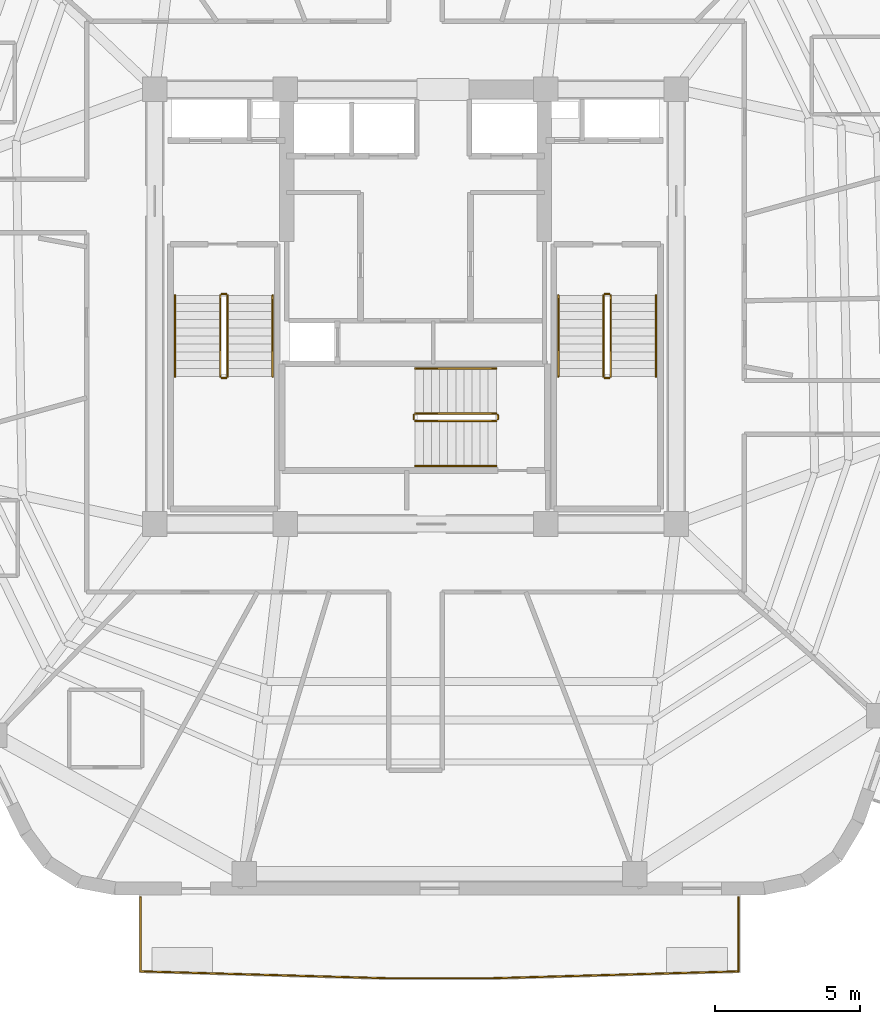
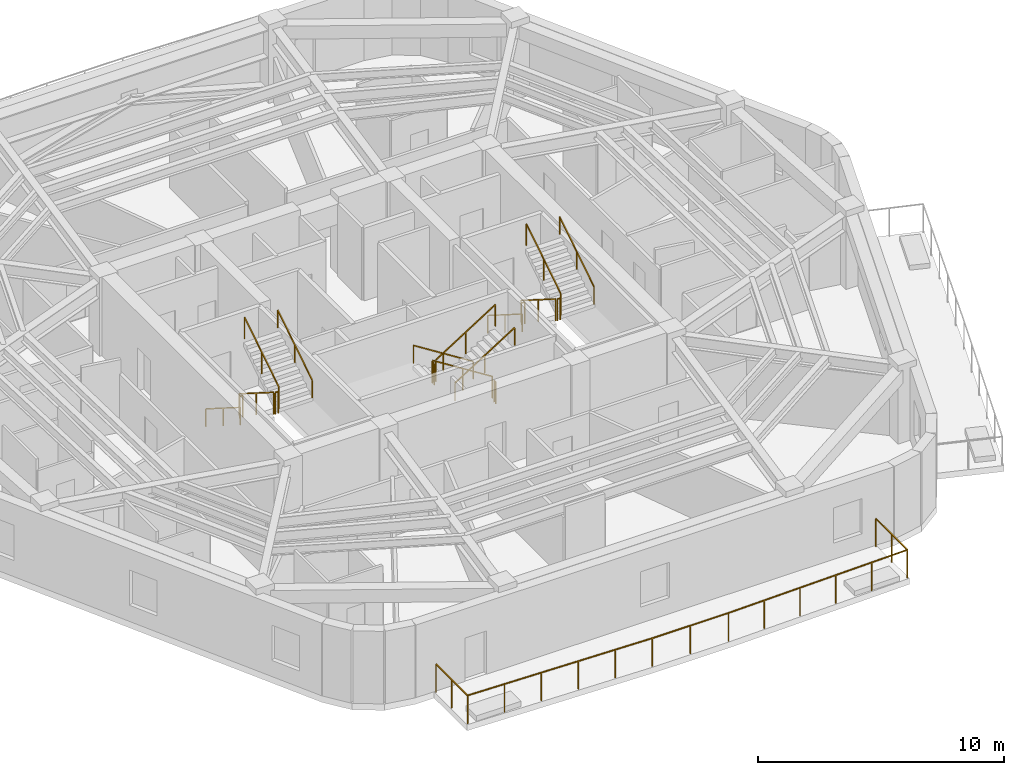
# One storey, part 8 of 9: 19 railings.
"""IFC4 building model written with IfcOpenShell, lengths in metres."""

from ifc_helpers import new_model, si_unit, direction, frame, origin, origin_2d, place, context, subcontext, project, spatial, rectangle, extrude, material, layer, layer_set, type_object, element, save


model = new_model("IFC4")

# Units and contexts
model_context = context("Model", 3, precision=1e-05, world=origin(), true_north=direction((0.0, 1.0)))
body_context = subcontext(model_context, "Body", "Model", "MODEL_VIEW")
ifc_project = project(units=[si_unit("LENGTHUNIT", "METRE"), si_unit("AREAUNIT", "SQUARE_METRE"), si_unit("VOLUMEUNIT", "CUBIC_METRE"), si_unit("PLANEANGLEUNIT", "RADIAN"), si_unit("MASSUNIT", "GRAM", prefix="KILO")], contexts=[model_context])

# Site, building, storey
site_placement = place(None, origin())
site = spatial("IfcSite", under=ifc_project, at=site_placement, CompositionType="ELEMENT")
building_placement = place(site_placement, origin())
building = spatial("IfcBuilding", under=site, at=building_placement, Name="Kilnhurst Terrace Hotel", CompositionType="ELEMENT")
storey_placement = place(building_placement, frame((0.0, 0.0, 297.60009765625)))
storey = spatial("IfcBuildingStorey", under=building, at=storey_placement, Name="L74", CompositionType="ELEMENT", Elevation=297.60009765625)

# Railings
ifc_material_1 = material(Name="Laminated SentryGlas and Stainless Steel AISI 316L Balustrade", Category="steel")
ifc_layer_1 = layer(ifc_material_1, 0.070068359375, Name="Laminated SentryGlas and Stainless Steel AISI 316L Balustrade")
ifc_layer_set_1 = layer_set([ifc_layer_1], Name="Laminated SentryGlas and Stainless Steel AISI 316L Balustrade")
railing_type_1 = type_object("IfcRailingType", Name="RLG-BAL-1420", PredefinedType="BALUSTRADE", material=ifc_layer_set_1)
railing_1_placement = place(storey_placement, frame((11.151611328125, -20.3798828125, 0.0)))
element("IfcRailing", 1, at=railing_1_placement, inside=storey, type_object=railing_type_1, Name="L74 Exterior Terrace Guardrail BAL-L1A.1", PredefinedType="BALUSTRADE", context=body_context, shape_type="SweptSolid", body=[
    extrude(rectangle(XDim=0.048095703125, YDim=0.048095703125, at=origin_2d()), frame((0.0, 0.0, 1.39599609375), z_axis=(0.0, -1.0, 0.0), x_axis=(1.0, 0.0, 0.0)), (0.0, 0.0, 1.0), 2.561767578125),
    extrude(rectangle(XDim=0.048095703125, YDim=0.048095703125, at=origin_2d()), frame((0.0, -2.561767578125, 1.39599609375), z_axis=(-0.999610218954, -0.027917918323, 0.0), x_axis=(0.027917918323, -0.999610218954, 0.0)), (0.0, 0.0, 1.0), 8.53515625),
    extrude(rectangle(XDim=0.048095703125, YDim=0.048095703125, at=origin_2d()), frame((-8.53173828125, -2.800048828125, 1.39599609375), z_axis=(-1.0, 0.0, 0.0), x_axis=(0.0, -1.0, 0.0)), (0.0, 0.0, 1.0), 3.577880859375),
    extrude(rectangle(XDim=0.048095703125, YDim=0.048095703125, at=origin_2d()), frame((-12.109619140625, -2.800048828125, 1.39599609375), z_axis=(-0.999610218954, 0.027917918323, 0.0), x_axis=(-0.027917918323, -0.999610218954, 0.0)), (0.0, 0.0, 1.0), 8.53515625),
    extrude(rectangle(XDim=0.048095703125, YDim=0.048095703125, at=origin_2d()), frame((-20.641357421875, -2.561767578125, 1.39599609375), z_axis=(0.0, 1.0, 0.0), x_axis=(-1.0, 0.0, 0.0)), (0.0, 0.0, 1.0), 2.561767578125),
    extrude(rectangle(XDim=0.0419921875, YDim=0.0419921875, at=origin_2d()), origin(), (0.0, 0.0, 1.0), 1.371826171875),
    extrude(rectangle(XDim=0.0419921875, YDim=0.0419921875, at=origin_2d()), frame((0.0, -1.28076171875, 0.0)), (0.0, 0.0, 1.0), 1.371826171875),
    extrude(rectangle(XDim=0.0419921875, YDim=0.0419921875, at=origin_2d()), frame((0.0, -2.561767578125, 0.0)), (0.0, 0.0, 1.0), 1.371826171875),
    extrude(rectangle(XDim=0.0419921875, YDim=0.0419921875, at=origin_2d()), frame((-1.706298828125, -2.609375, 0.0)), (0.0, 0.0, 1.0), 1.371826171875),
    extrude(rectangle(XDim=0.0419921875, YDim=0.0419921875, at=origin_2d()), frame((-3.41259765625, -2.656982421875, 0.0)), (0.0, 0.0, 1.0), 1.371826171875),
    extrude(rectangle(XDim=0.0419921875, YDim=0.0419921875, at=origin_2d()), frame((-5.119140625, -2.704833984375, 0.0)), (0.0, 0.0, 1.0), 1.371826171875),
    extrude(rectangle(XDim=0.0419921875, YDim=0.0419921875, at=origin_2d()), frame((-6.825439453125, -2.75244140625, 0.0)), (0.0, 0.0, 1.0), 1.371826171875),
    extrude(rectangle(XDim=0.0419921875, YDim=0.0419921875, at=origin_2d()), frame((-8.53173828125, -2.800048828125, 0.0)), (0.0, 0.0, 1.0), 1.371826171875),
    extrude(rectangle(XDim=0.0419921875, YDim=0.0419921875, at=origin_2d()), frame((-10.32080078125, -2.800048828125, 0.0)), (0.0, 0.0, 1.0), 1.371826171875),
    extrude(rectangle(XDim=0.0419921875, YDim=0.0419921875, at=origin_2d()), frame((-12.109619140625, -2.800048828125, 0.0)), (0.0, 0.0, 1.0), 1.371826171875),
    extrude(rectangle(XDim=0.0419921875, YDim=0.0419921875, at=origin_2d()), frame((-13.81591796875, -2.75244140625, 0.0)), (0.0, 0.0, 1.0), 1.371826171875),
    extrude(rectangle(XDim=0.0419921875, YDim=0.0419921875, at=origin_2d()), frame((-15.522216796875, -2.704833984375, 0.0)), (0.0, 0.0, 1.0), 1.371826171875),
    extrude(rectangle(XDim=0.0419921875, YDim=0.0419921875, at=origin_2d()), frame((-17.228759765625, -2.656982421875, 0.0)), (0.0, 0.0, 1.0), 1.371826171875),
    extrude(rectangle(XDim=0.0419921875, YDim=0.0419921875, at=origin_2d()), frame((-18.93505859375, -2.609375, 0.0)), (0.0, 0.0, 1.0), 1.371826171875),
    extrude(rectangle(XDim=0.0419921875, YDim=0.0419921875, at=origin_2d()), frame((-20.641357421875, -2.561767578125, 0.0)), (0.0, 0.0, 1.0), 1.371826171875),
    extrude(rectangle(XDim=0.0419921875, YDim=0.0419921875, at=origin_2d()), frame((-20.641357421875, -1.28076171875, 0.0)), (0.0, 0.0, 1.0), 1.371826171875),
    extrude(rectangle(XDim=0.0419921875, YDim=0.0419921875, at=origin_2d()), frame((-20.641357421875, 0.0, 0.0)), (0.0, 0.0, 1.0), 1.371826171875),
])
ifc_material_2 = material(Name="Powder-Coated Steel ASTM A500 Grade B", Category="steel")
ifc_layer_2 = layer(ifc_material_2, 0.050048828125, Name="Powder-Coated Steel ASTM A500 Grade B")
ifc_layer_set_2 = layer_set([ifc_layer_2], Name="Powder-Coated Steel ASTM A500 Grade B")
railing_type_2 = type_object("IfcRailingType", Name="RLG-ST-GRD-1100", PredefinedType="GUARDRAIL", material=ifc_layer_set_2)
railing_2_placement = place(storey_placement, frame((-6.739990234375, 0.389892578125, 0.17724609375)))
element("IfcRailing", 2, at=railing_2_placement, inside=storey, type_object=railing_type_2, Name="L74 ST-1 stair guard 1", PredefinedType="GUARDRAIL", context=body_context, shape_type="SweptSolid", body=[
    extrude(rectangle(XDim=0.048095703125, YDim=0.048095703125, at=origin_2d()), frame((0.0, 0.0, 1.076171875), z_axis=(0.0, -0.844887892834, 0.53494340686), x_axis=(1.0, 0.0, 0.0)), (0.0, 0.0, 1.0), 3.313720703125),
    extrude(rectangle(XDim=0.0419921875, YDim=0.0419921875, at=origin_2d()), origin(), (0.0, 0.0, 1.0), 1.052001953125),
    extrude(rectangle(XDim=0.0419921875, YDim=0.0419921875, at=origin_2d()), frame((0.0, -1.39990234375, 0.88623046875)), (0.0, 0.0, 1.0), 1.052001953125),
    extrude(rectangle(XDim=0.0419921875, YDim=0.0419921875, at=origin_2d()), frame((0.0, -2.7998046875, 1.772705078125)), (0.0, 0.0, 1.0), 1.052001953125),
])
railing_3_placement = place(storey_placement, frame((-6.68994140625, -2.4599609375, 1.949951171875)))
element("IfcRailing", 3, at=railing_3_placement, inside=storey, type_object=railing_type_2, Name="L74 ST-1 stair guard 2", PredefinedType="GUARDRAIL", context=body_context, shape_type="SweptSolid", body=[
    extrude(rectangle(XDim=0.048095703125, YDim=0.048095703125, at=origin_2d()), frame((0.0, 0.0, 1.076171875), z_axis=(1.0, 0.0, 0.0), x_axis=(0.0, 1.0, 0.0)), (0.0, 0.0, 1.0), 0.14990234375),
    extrude(rectangle(XDim=0.0419921875, YDim=0.0419921875, at=origin_2d()), origin(), (0.0, 0.0, 1.0), 1.052001953125),
    extrude(rectangle(XDim=0.0419921875, YDim=0.0419921875, at=origin_2d()), frame((0.14990234375, 0.0, 0.0)), (0.0, 0.0, 1.0), 1.052001953125),
])
railing_4_placement = place(storey_placement, frame((-6.489990234375, -2.409912109375, 2.127197265625)))
element("IfcRailing", 4, at=railing_4_placement, inside=storey, type_object=railing_type_2, Name="L74 ST-1 stair guard 3", PredefinedType="GUARDRAIL", context=body_context, shape_type="SweptSolid", body=[
    extrude(rectangle(XDim=0.048095703125, YDim=0.048095703125, at=origin_2d()), frame((0.0, 0.0, 1.076171875), z_axis=(0.0, 0.844887892834, 0.53494340686), x_axis=(-1.0, 0.0, 0.0)), (0.0, 0.0, 1.0), 3.313720703125),
    extrude(rectangle(XDim=0.0419921875, YDim=0.0419921875, at=origin_2d()), origin(), (0.0, 0.0, 1.0), 1.052001953125),
    extrude(rectangle(XDim=0.0419921875, YDim=0.0419921875, at=origin_2d()), frame((0.0, 1.39990234375, 0.88623046875)), (0.0, 0.0, 1.0), 1.052001953125),
    extrude(rectangle(XDim=0.0419921875, YDim=0.0419921875, at=origin_2d()), frame((0.0, 2.7998046875, 1.772705078125)), (0.0, 0.0, 1.0), 1.052001953125),
])
railing_5_placement = place(storey_placement, frame((-6.68994140625, 0.43994140625, 0.0)))
element("IfcRailing", 5, at=railing_5_placement, inside=storey, type_object=railing_type_2, Name="L74 ST-1 stair guard 4", PredefinedType="GUARDRAIL", context=body_context, shape_type="SweptSolid", body=[
    extrude(rectangle(XDim=0.048095703125, YDim=0.048095703125, at=origin_2d()), frame((0.0, 0.0, 1.076171875), z_axis=(1.0, 0.0, 0.0), x_axis=(0.0, 1.0, 0.0)), (0.0, 0.0, 1.0), 0.14990234375),
    extrude(rectangle(XDim=0.0419921875, YDim=0.0419921875, at=origin_2d()), origin(), (0.0, 0.0, 1.0), 1.052001953125),
    extrude(rectangle(XDim=0.0419921875, YDim=0.0419921875, at=origin_2d()), frame((0.14990234375, 0.0, 0.0)), (0.0, 0.0, 1.0), 1.052001953125),
])
railing_6_placement = place(storey_placement, frame((6.489990234375, 0.389892578125, 0.17724609375)))
element("IfcRailing", 6, at=railing_6_placement, inside=storey, type_object=railing_type_2, Name="L74 ST-2 stair guard 1", PredefinedType="GUARDRAIL", context=body_context, shape_type="SweptSolid", body=[
    extrude(rectangle(XDim=0.048095703125, YDim=0.048095703125, at=origin_2d()), frame((0.0, 0.0, 1.076171875), z_axis=(0.0, -0.844887892834, 0.53494340686), x_axis=(1.0, 0.0, 0.0)), (0.0, 0.0, 1.0), 3.313720703125),
    extrude(rectangle(XDim=0.0419921875, YDim=0.0419921875, at=origin_2d()), origin(), (0.0, 0.0, 1.0), 1.052001953125),
    extrude(rectangle(XDim=0.0419921875, YDim=0.0419921875, at=origin_2d()), frame((0.0, -1.39990234375, 0.88623046875)), (0.0, 0.0, 1.0), 1.052001953125),
    extrude(rectangle(XDim=0.0419921875, YDim=0.0419921875, at=origin_2d()), frame((0.0, -2.7998046875, 1.772705078125)), (0.0, 0.0, 1.0), 1.052001953125),
])
railing_7_placement = place(storey_placement, frame((6.5400390625, -2.4599609375, 1.949951171875)))
element("IfcRailing", 7, at=railing_7_placement, inside=storey, type_object=railing_type_2, Name="L74 ST-2 stair guard 2", PredefinedType="GUARDRAIL", context=body_context, shape_type="SweptSolid", body=[
    extrude(rectangle(XDim=0.048095703125, YDim=0.048095703125, at=origin_2d()), frame((0.0, 0.0, 1.076171875), z_axis=(1.0, 0.0, 0.0), x_axis=(0.0, 1.0, 0.0)), (0.0, 0.0, 1.0), 0.14990234375),
    extrude(rectangle(XDim=0.0419921875, YDim=0.0419921875, at=origin_2d()), origin(), (0.0, 0.0, 1.0), 1.052001953125),
    extrude(rectangle(XDim=0.0419921875, YDim=0.0419921875, at=origin_2d()), frame((0.14990234375, 0.0, 0.0)), (0.0, 0.0, 1.0), 1.052001953125),
])
railing_8_placement = place(storey_placement, frame((6.739990234375, -2.409912109375, 2.127197265625)))
element("IfcRailing", 8, at=railing_8_placement, inside=storey, type_object=railing_type_2, Name="L74 ST-2 stair guard 3", PredefinedType="GUARDRAIL", context=body_context, shape_type="SweptSolid", body=[
    extrude(rectangle(XDim=0.048095703125, YDim=0.048095703125, at=origin_2d()), frame((0.0, 0.0, 1.076171875), z_axis=(0.0, 0.844887892834, 0.53494340686), x_axis=(-1.0, 0.0, 0.0)), (0.0, 0.0, 1.0), 3.313720703125),
    extrude(rectangle(XDim=0.0419921875, YDim=0.0419921875, at=origin_2d()), origin(), (0.0, 0.0, 1.0), 1.052001953125),
    extrude(rectangle(XDim=0.0419921875, YDim=0.0419921875, at=origin_2d()), frame((0.0, 1.39990234375, 0.88623046875)), (0.0, 0.0, 1.0), 1.052001953125),
    extrude(rectangle(XDim=0.0419921875, YDim=0.0419921875, at=origin_2d()), frame((0.0, 2.7998046875, 1.772705078125)), (0.0, 0.0, 1.0), 1.052001953125),
])
railing_9_placement = place(storey_placement, frame((6.5400390625, 0.43994140625, 0.0)))
element("IfcRailing", 9, at=railing_9_placement, inside=storey, type_object=railing_type_2, Name="L74 ST-2 stair guard 4", PredefinedType="GUARDRAIL", context=body_context, shape_type="SweptSolid", body=[
    extrude(rectangle(XDim=0.048095703125, YDim=0.048095703125, at=origin_2d()), frame((0.0, 0.0, 1.076171875), z_axis=(1.0, 0.0, 0.0), x_axis=(0.0, 1.0, 0.0)), (0.0, 0.0, 1.0), 0.14990234375),
    extrude(rectangle(XDim=0.0419921875, YDim=0.0419921875, at=origin_2d()), origin(), (0.0, 0.0, 1.0), 1.052001953125),
    extrude(rectangle(XDim=0.0419921875, YDim=0.0419921875, at=origin_2d()), frame((0.14990234375, 0.0, 0.0)), (0.0, 0.0, 1.0), 1.052001953125),
])
railing_10_placement = place(storey_placement, frame((2.7900390625, -3.68994140625, 0.17724609375)))
element("IfcRailing", 10, at=railing_10_placement, inside=storey, type_object=railing_type_2, Name="L74 ST-3 stair guard 1", PredefinedType="GUARDRAIL", context=body_context, shape_type="SweptSolid", body=[
    extrude(rectangle(XDim=0.048095703125, YDim=0.048095703125, at=origin_2d()), frame((0.0, 0.0, 1.076171875), z_axis=(-0.844908973607, 0.0, 0.534910110503), x_axis=(0.0, -1.0, 0.0)), (0.0, 0.0, 1.0), 3.31396484375),
    extrude(rectangle(XDim=0.0419921875, YDim=0.0419921875, at=origin_2d()), origin(), (0.0, 0.0, 1.0), 1.052001953125),
    extrude(rectangle(XDim=0.0419921875, YDim=0.0419921875, at=origin_2d()), frame((-1.39990234375, 0.0, 0.88623046875)), (0.0, 0.0, 1.0), 1.052001953125),
    extrude(rectangle(XDim=0.0419921875, YDim=0.0419921875, at=origin_2d()), frame((-2.800048828125, 0.0, 1.772705078125)), (0.0, 0.0, 1.0), 1.052001953125),
])
railing_11_placement = place(storey_placement, frame((-0.06005859375, -3.739990234375, 1.949951171875)))
element("IfcRailing", 11, at=railing_11_placement, inside=storey, type_object=railing_type_2, Name="L74 ST-3 stair guard 2", PredefinedType="GUARDRAIL", context=body_context, shape_type="SweptSolid", body=[
    extrude(rectangle(XDim=0.048095703125, YDim=0.048095703125, at=origin_2d()), frame((0.0, 0.0, 1.076171875), z_axis=(0.0, -1.0, 0.0), x_axis=(1.0, 0.0, 0.0)), (0.0, 0.0, 1.0), 0.14990234375),
    extrude(rectangle(XDim=0.0419921875, YDim=0.0419921875, at=origin_2d()), origin(), (0.0, 0.0, 1.0), 1.052001953125),
    extrude(rectangle(XDim=0.0419921875, YDim=0.0419921875, at=origin_2d()), frame((0.0, -0.14990234375, 0.0)), (0.0, 0.0, 1.0), 1.052001953125),
])
railing_12_placement = place(storey_placement, frame((-0.010009765625, -3.93994140625, 2.127197265625)))
element("IfcRailing", 12, at=railing_12_placement, inside=storey, type_object=railing_type_2, Name="L74 ST-3 stair guard 3", PredefinedType="GUARDRAIL", context=body_context, shape_type="SweptSolid", body=[
    extrude(rectangle(XDim=0.048095703125, YDim=0.048095703125, at=origin_2d()), frame((0.0, 0.0, 1.076171875), z_axis=(0.844908973607, 0.0, 0.534910110503), x_axis=(0.0, 1.0, 0.0)), (0.0, 0.0, 1.0), 3.31396484375),
    extrude(rectangle(XDim=0.0419921875, YDim=0.0419921875, at=origin_2d()), origin(), (0.0, 0.0, 1.0), 1.052001953125),
    extrude(rectangle(XDim=0.0419921875, YDim=0.0419921875, at=origin_2d()), frame((1.39990234375, 0.0, 0.88623046875)), (0.0, 0.0, 1.0), 1.052001953125),
    extrude(rectangle(XDim=0.0419921875, YDim=0.0419921875, at=origin_2d()), frame((2.800048828125, 0.0, 1.772705078125)), (0.0, 0.0, 1.0), 1.052001953125),
])
railing_13_placement = place(storey_placement, frame((2.840087890625, -3.739990234375, 0.0)))
element("IfcRailing", 13, at=railing_13_placement, inside=storey, type_object=railing_type_2, Name="L74 ST-3 stair guard 4", PredefinedType="GUARDRAIL", context=body_context, shape_type="SweptSolid", body=[
    extrude(rectangle(XDim=0.048095703125, YDim=0.048095703125, at=origin_2d()), frame((0.0, 0.0, 1.076171875), z_axis=(0.0, -1.0, 0.0), x_axis=(1.0, 0.0, 0.0)), (0.0, 0.0, 1.0), 0.14990234375),
    extrude(rectangle(XDim=0.0419921875, YDim=0.0419921875, at=origin_2d()), origin(), (0.0, 0.0, 1.0), 1.052001953125),
    extrude(rectangle(XDim=0.0419921875, YDim=0.0419921875, at=origin_2d()), frame((0.0, -0.14990234375, 0.0)), (0.0, 0.0, 1.0), 1.052001953125),
])
ifc_material_3 = material(Name="Brushed Stainless Steel AISI 304", Category="steel")
ifc_layer_3 = layer(ifc_material_3, 0.048095703125, Name="Brushed Stainless Steel AISI 304")
ifc_layer_set_3 = layer_set([ifc_layer_3], Name="Brushed Stainless Steel AISI 304")
railing_type_3 = type_object("IfcRailingType", Name="RLG-ST-HRL-900", PredefinedType="HANDRAIL", material=ifc_layer_set_3)
railing_14_placement = place(storey_placement, frame((-8.300048828125, 0.389892578125, 0.17724609375)))
element("IfcRailing", 14, at=railing_14_placement, inside=storey, type_object=railing_type_3, Name="L74 ST-1 stair handrail 1", PredefinedType="HANDRAIL", context=body_context, shape_type="SweptSolid", body=[
    extrude(rectangle(XDim=0.048095703125, YDim=0.048095703125, at=origin_2d()), frame((0.0, 0.0, 0.8759765625), z_axis=(0.0, -0.844887892834, 0.53494340686), x_axis=(1.0, 0.0, 0.0)), (0.0, 0.0, 1.0), 3.313720703125),
    extrude(rectangle(XDim=0.0419921875, YDim=0.0419921875, at=origin_2d()), origin(), (0.0, 0.0, 1.0), 0.851806640625),
    extrude(rectangle(XDim=0.0419921875, YDim=0.0419921875, at=origin_2d()), frame((0.0, -1.39990234375, 0.88623046875)), (0.0, 0.0, 1.0), 0.851806640625),
    extrude(rectangle(XDim=0.0419921875, YDim=0.0419921875, at=origin_2d()), frame((0.0, -2.7998046875, 1.772705078125)), (0.0, 0.0, 1.0), 0.851806640625),
])
railing_15_placement = place(storey_placement, frame((-4.929931640625, -2.409912109375, 2.127197265625)))
element("IfcRailing", 15, at=railing_15_placement, inside=storey, type_object=railing_type_3, Name="L74 ST-1 stair handrail 2", PredefinedType="HANDRAIL", context=body_context, shape_type="SweptSolid", body=[
    extrude(rectangle(XDim=0.048095703125, YDim=0.048095703125, at=origin_2d()), frame((0.0, 0.0, 0.8759765625), z_axis=(0.0, 0.844887892834, 0.53494340686), x_axis=(-1.0, 0.0, 0.0)), (0.0, 0.0, 1.0), 3.313720703125),
    extrude(rectangle(XDim=0.0419921875, YDim=0.0419921875, at=origin_2d()), origin(), (0.0, 0.0, 1.0), 0.851806640625),
    extrude(rectangle(XDim=0.0419921875, YDim=0.0419921875, at=origin_2d()), frame((0.0, 1.39990234375, 0.88623046875)), (0.0, 0.0, 1.0), 0.851806640625),
    extrude(rectangle(XDim=0.0419921875, YDim=0.0419921875, at=origin_2d()), frame((0.0, 2.7998046875, 1.772705078125)), (0.0, 0.0, 1.0), 0.851806640625),
])
railing_16_placement = place(storey_placement, frame((4.929931640625, 0.389892578125, 0.17724609375)))
element("IfcRailing", 16, at=railing_16_placement, inside=storey, type_object=railing_type_3, Name="L74 ST-2 stair handrail 1", PredefinedType="HANDRAIL", context=body_context, shape_type="SweptSolid", body=[
    extrude(rectangle(XDim=0.048095703125, YDim=0.048095703125, at=origin_2d()), frame((0.0, 0.0, 0.8759765625), z_axis=(0.0, -0.844887892834, 0.53494340686), x_axis=(1.0, 0.0, 0.0)), (0.0, 0.0, 1.0), 3.313720703125),
    extrude(rectangle(XDim=0.0419921875, YDim=0.0419921875, at=origin_2d()), origin(), (0.0, 0.0, 1.0), 0.851806640625),
    extrude(rectangle(XDim=0.0419921875, YDim=0.0419921875, at=origin_2d()), frame((0.0, -1.39990234375, 0.88623046875)), (0.0, 0.0, 1.0), 0.851806640625),
    extrude(rectangle(XDim=0.0419921875, YDim=0.0419921875, at=origin_2d()), frame((0.0, -2.7998046875, 1.772705078125)), (0.0, 0.0, 1.0), 0.851806640625),
])
railing_17_placement = place(storey_placement, frame((8.300048828125, -2.409912109375, 2.127197265625)))
element("IfcRailing", 17, at=railing_17_placement, inside=storey, type_object=railing_type_3, Name="L74 ST-2 stair handrail 2", PredefinedType="HANDRAIL", context=body_context, shape_type="SweptSolid", body=[
    extrude(rectangle(XDim=0.048095703125, YDim=0.048095703125, at=origin_2d()), frame((0.0, 0.0, 0.8759765625), z_axis=(0.0, 0.844887892834, 0.53494340686), x_axis=(-1.0, 0.0, 0.0)), (0.0, 0.0, 1.0), 3.313720703125),
    extrude(rectangle(XDim=0.0419921875, YDim=0.0419921875, at=origin_2d()), origin(), (0.0, 0.0, 1.0), 0.851806640625),
    extrude(rectangle(XDim=0.0419921875, YDim=0.0419921875, at=origin_2d()), frame((0.0, 1.39990234375, 0.88623046875)), (0.0, 0.0, 1.0), 0.851806640625),
    extrude(rectangle(XDim=0.0419921875, YDim=0.0419921875, at=origin_2d()), frame((0.0, 2.7998046875, 1.772705078125)), (0.0, 0.0, 1.0), 0.851806640625),
])
railing_18_placement = place(storey_placement, frame((2.7900390625, -2.1298828125, 0.17724609375)))
element("IfcRailing", 18, at=railing_18_placement, inside=storey, type_object=railing_type_3, Name="L74 ST-3 stair handrail 1", PredefinedType="HANDRAIL", context=body_context, shape_type="SweptSolid", body=[
    extrude(rectangle(XDim=0.048095703125, YDim=0.048095703125, at=origin_2d()), frame((0.0, 0.0, 0.8759765625), z_axis=(-0.844908973607, 0.0, 0.534910110503), x_axis=(0.0, -1.0, 0.0)), (0.0, 0.0, 1.0), 3.31396484375),
    extrude(rectangle(XDim=0.0419921875, YDim=0.0419921875, at=origin_2d()), origin(), (0.0, 0.0, 1.0), 0.851806640625),
    extrude(rectangle(XDim=0.0419921875, YDim=0.0419921875, at=origin_2d()), frame((-1.39990234375, 0.0, 0.88623046875)), (0.0, 0.0, 1.0), 0.851806640625),
    extrude(rectangle(XDim=0.0419921875, YDim=0.0419921875, at=origin_2d()), frame((-2.800048828125, 0.0, 1.772705078125)), (0.0, 0.0, 1.0), 0.851806640625),
])
railing_19_placement = place(storey_placement, frame((-0.010009765625, -5.5, 2.127197265625)))
element("IfcRailing", 19, at=railing_19_placement, inside=storey, type_object=railing_type_3, Name="L74 ST-3 stair handrail 2", PredefinedType="HANDRAIL", context=body_context, shape_type="SweptSolid", body=[
    extrude(rectangle(XDim=0.048095703125, YDim=0.048095703125, at=origin_2d()), frame((0.0, 0.0, 0.8759765625), z_axis=(0.844908973607, 0.0, 0.534910110503), x_axis=(0.0, 1.0, 0.0)), (0.0, 0.0, 1.0), 3.31396484375),
    extrude(rectangle(XDim=0.0419921875, YDim=0.0419921875, at=origin_2d()), origin(), (0.0, 0.0, 1.0), 0.851806640625),
    extrude(rectangle(XDim=0.0419921875, YDim=0.0419921875, at=origin_2d()), frame((1.39990234375, 0.0, 0.88623046875)), (0.0, 0.0, 1.0), 0.851806640625),
    extrude(rectangle(XDim=0.0419921875, YDim=0.0419921875, at=origin_2d()), frame((2.800048828125, 0.0, 1.772705078125)), (0.0, 0.0, 1.0), 0.851806640625),
])

save(model, "model.ifc")
